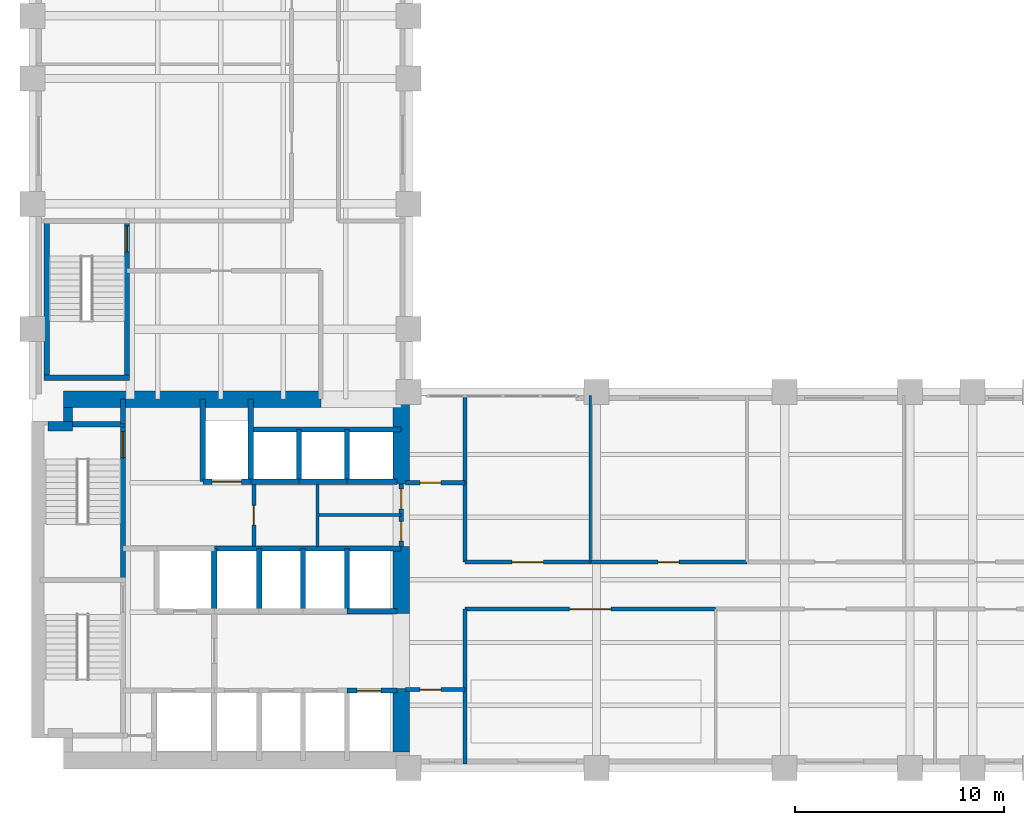
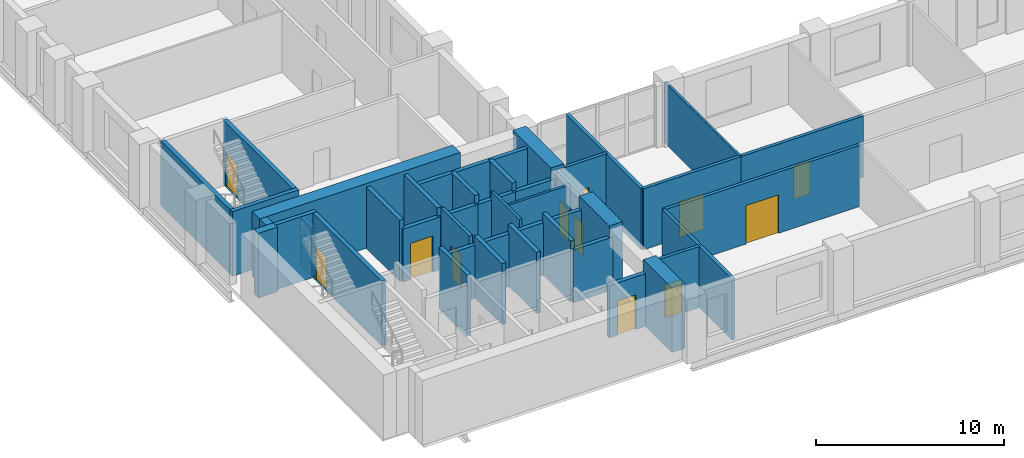
# One storey, part 5 of 9: 40 walls, 12 doors, 12 openings.
"""IFC4 building model written with IfcOpenShell, lengths in metres."""

from ifc_helpers import new_model, si_unit, direction, frame, frame_2d, origin, place, context, subcontext, project, spatial, rectangle, extrude, material, layer, layer_set, type_object, element, fill, save


model = new_model("IFC4")

# Units and contexts
model_context = context("Model", 3, precision=1e-05, world=origin(), true_north=direction((0.0, 1.0)))
body_context = subcontext(model_context, "Body", "Model", "MODEL_VIEW")
ifc_project = project(units=[si_unit("LENGTHUNIT", "METRE"), si_unit("AREAUNIT", "SQUARE_METRE"), si_unit("VOLUMEUNIT", "CUBIC_METRE"), si_unit("PLANEANGLEUNIT", "RADIAN"), si_unit("MASSUNIT", "GRAM", prefix="KILO")], contexts=[model_context])

# Site, building, storey
site_placement = place(None, origin())
site = spatial("IfcSite", under=ifc_project, at=site_placement, CompositionType="ELEMENT")
building_placement = place(site_placement, origin())
building = spatial("IfcBuilding", under=site, at=building_placement, Name="Mawjdan Bourse Tower", CompositionType="ELEMENT")
storey_placement = place(building_placement, frame((0.0, 0.0, 51.0)))
storey = spatial("IfcBuildingStorey", under=building, at=storey_placement, Name="L11", CompositionType="ELEMENT", Elevation=51.0)

# Wall, opening, door
ifc_material_1 = material(Name="Gypsum Fireboard Assembly")
ifc_layer_1 = layer(ifc_material_1, 0.199951171875)
ifc_layer_set_1 = layer_set([ifc_layer_1], Name="Gypsum Fireboard Assembly")
wall_type_1 = type_object("IfcWallType", Name="WL-CMP-200", PredefinedType="PARTITIONING", material=ifc_layer_set_1)
wall_1_placement = place(storey_placement, frame((16.60009765625, 13.60009765625, 0.0), z_axis=(0.0, 0.0, 1.0), x_axis=(0.0, 1.0, 0.0)))
wall_1 = element("IfcWall", 1, at=wall_1_placement, inside=storey, type_object=wall_type_1, Name="L11 Core Restroom West Wall", PredefinedType="PARTITIONING", context=body_context, shape_type="SweptSolid", body=[
    extrude(rectangle(XDim=3.0, YDim=0.199951171875, at=frame_2d((1.5, 0.0))), origin(), (0.0, 0.0, 1.0), 3.969970703125),
])
opening_1_placement = place(wall_1_placement, frame((1.02001953125, 0.0, 0.0)))
opening_1 = element("IfcOpeningElement", 2, at=opening_1_placement, cuts=wall_1, Name="Opening D-L11-14", PredefinedType="OPENING", context=body_context, shape_type="SweptSolid", body=[
    extrude(rectangle(XDim=0.949951171875, YDim=2.10009765625, at=frame_2d((0.47509765625, 1.050048828125))), frame((0.0, 0.10986328125, 0.0), z_axis=(0.0, -1.0, 0.0), x_axis=(1.0, 0.0, 0.0)), (0.0, 0.0, 1.0), 0.219970703125),
])
ifc_material_2 = material(Name="Moisture-Resistant Laminate Timber", Category="wood")
door_type_1 = type_object("IfcDoorType", Name="DR-WET-0950", OperationType="NOTDEFINED", PredefinedType="DOOR", material=ifc_material_2)
door_1_placement = place(opening_1_placement, origin())
door_1 = element("IfcDoor", 3, at=door_1_placement, inside=storey, type_object=door_type_1, Name="L11 Male Restroom Entry Door D-L11-14", OperationType="SINGLE_SWING_RIGHT", OverallHeight=2.10009765625, OverallWidth=0.949951171875, PredefinedType="DOOR", context=body_context, shape_type="SweptSolid", body=[
    extrude(rectangle(XDim=0.949951171875, YDim=2.10009765625, at=frame_2d((0.47509765625, 1.050048828125))), frame((0.0, 0.02490234375, 0.0), z_axis=(0.0, -1.0, 0.0), x_axis=(1.0, 0.0, 0.0)), (0.0, 0.0, 1.0), 0.050048828125),
])
fill(opening_1, door_1)

# Wall, openings, doors
wall_2_placement = place(storey_placement, frame((23.64990234375, 13.60009765625, 0.0), z_axis=(0.0, 0.0, 1.0), x_axis=(0.0, 1.0, 0.0)))
wall_2 = element("IfcWall", 4, at=wall_2_placement, inside=storey, type_object=wall_type_1, Name="L11 Core Restroom East Enclosing Wall", PredefinedType="PARTITIONING", context=body_context, shape_type="SweptSolid", body=[
    extrude(rectangle(XDim=3.0, YDim=0.199951171875, at=frame_2d((1.5, 0.0))), origin(), (0.0, 0.0, 1.0), 3.969970703125),
])
opening_2_placement = place(wall_2_placement, frame((0.25, 0.0, 0.0)))
opening_2 = element("IfcOpeningElement", 5, at=opening_2_placement, cuts=wall_2, Name="Opening D-L11-15", PredefinedType="OPENING", context=body_context, shape_type="SweptSolid", body=[
    extrude(rectangle(XDim=0.949951171875, YDim=2.10009765625, at=frame_2d((0.47509765625, 1.050048828125))), frame((0.0, 0.10986328125, 0.0), z_axis=(0.0, -1.0, 0.0), x_axis=(1.0, 0.0, 0.0)), (0.0, 0.0, 1.0), 0.219970703125),
])
opening_3_placement = place(wall_2_placement, frame((1.800048828125, 0.0, 0.0)))
opening_3 = element("IfcOpeningElement", 6, at=opening_3_placement, cuts=wall_2, Name="Opening D-L11-16", PredefinedType="OPENING", context=body_context, shape_type="SweptSolid", body=[
    extrude(rectangle(XDim=0.949951171875, YDim=2.10009765625, at=frame_2d((0.47509765625, 1.050048828125))), frame((0.0, 0.10986328125, 0.0), z_axis=(0.0, -1.0, 0.0), x_axis=(1.0, 0.0, 0.0)), (0.0, 0.0, 1.0), 0.219970703125),
])
door_2_placement = place(opening_2_placement, origin())
door_2 = element("IfcDoor", 7, at=door_2_placement, inside=storey, type_object=door_type_1, Name="L11 Accessible WC East Entry Door D-L11-15", OperationType="SINGLE_SWING_LEFT", OverallHeight=2.10009765625, OverallWidth=0.949951171875, PredefinedType="DOOR", context=body_context, shape_type="SweptSolid", body=[
    extrude(rectangle(XDim=0.949951171875, YDim=2.10009765625, at=frame_2d((0.47509765625, 1.050048828125))), frame((0.0, 0.02490234375, 0.0), z_axis=(0.0, -1.0, 0.0), x_axis=(1.0, 0.0, 0.0)), (0.0, 0.0, 1.0), 0.050048828125),
])
fill(opening_2, door_2)
door_3_placement = place(opening_3_placement, origin())
door_3 = element("IfcDoor", 8, at=door_3_placement, inside=storey, type_object=door_type_1, Name="L11 Female Restroom East Entry Door D-L11-16", OperationType="SINGLE_SWING_RIGHT", OverallHeight=2.10009765625, OverallWidth=0.949951171875, PredefinedType="DOOR", context=body_context, shape_type="SweptSolid", body=[
    extrude(rectangle(XDim=0.949951171875, YDim=2.10009765625, at=frame_2d((0.47509765625, 1.050048828125))), frame((0.0, 0.02490234375, 0.0), z_axis=(0.0, -1.0, 0.0), x_axis=(1.0, 0.0, 0.0)), (0.0, 0.0, 1.0), 0.050048828125),
])
fill(opening_3, door_3)

# Wall, opening, door
wall_3_placement = place(storey_placement, frame((23.85009765625, 6.75, 0.0), z_axis=(0.0, 0.0, 1.0), x_axis=(1.0, 0.0, 0.0)))
wall_3 = element("IfcWall", 9, at=wall_3_placement, inside=storey, type_object=wall_type_1, Name="L11 West Pocket North Wall", PredefinedType="PARTITIONING", context=body_context, shape_type="SweptSolid", body=[
    extrude(rectangle(XDim=2.849853515625, YDim=0.199951171875, at=frame_2d((1.4248046875, 0.0))), origin(), (0.0, 0.0, 1.0), 3.969970703125),
])
opening_4_placement = place(wall_3_placement, frame((0.699951171875, 0.0, 0.0)))
opening_4 = element("IfcOpeningElement", 10, at=opening_4_placement, cuts=wall_3, Name="Opening D-L11-18", PredefinedType="OPENING", context=body_context, shape_type="SweptSolid", body=[
    extrude(rectangle(XDim=1.0, YDim=2.14990234375, at=frame_2d((0.5, 1.074951171875))), frame((0.0, 0.10986328125, 0.0), z_axis=(0.0, -1.0, 0.0), x_axis=(1.0, 0.0, 0.0)), (0.0, 0.0, 1.0), 0.219970703125),
])
ifc_material_3 = material(Name="Hardwood Acoustic Leaf", Category="wood")
door_type_2 = type_object("IfcDoorType", Name="DR-OFC-1000", OperationType="NOTDEFINED", PredefinedType="DOOR", material=ifc_material_3)
door_4_placement = place(opening_4_placement, origin())
door_4 = element("IfcDoor", 11, at=door_4_placement, inside=storey, type_object=door_type_2, Name="L11 West Pocket Office Door D-L11-18", OperationType="SINGLE_SWING_RIGHT", OverallHeight=2.14990234375, OverallWidth=1.0, PredefinedType="DOOR", context=body_context, shape_type="SweptSolid", body=[
    extrude(rectangle(XDim=1.0, YDim=2.14990234375, at=frame_2d((0.5, 1.074951171875))), frame((0.0, 0.02490234375, 0.0), z_axis=(0.0, -1.0, 0.0), x_axis=(1.0, 0.0, 0.0)), (0.0, 0.0, 1.0), 0.050048828125),
])
fill(opening_4, door_4)

wall_4_placement = place(storey_placement, frame((23.85009765625, 16.64990234375, 0.0), z_axis=(0.0, 0.0, 1.0), x_axis=(1.0, 0.0, 0.0)))
wall_4 = element("IfcWall", 12, at=wall_4_placement, inside=storey, type_object=wall_type_1, Name="L11 West North Pocket Wall", PredefinedType="PARTITIONING", context=body_context, shape_type="SweptSolid", body=[
    extrude(rectangle(XDim=2.849853515625, YDim=0.199951171875, at=frame_2d((1.4248046875, 0.0))), origin(), (0.0, 0.0, 1.0), 3.969970703125),
])
opening_5_placement = place(wall_4_placement, frame((0.699951171875, 0.0, 0.0)))
opening_5 = element("IfcOpeningElement", 13, at=opening_5_placement, cuts=wall_4, Name="Opening D-L11-19", PredefinedType="OPENING", context=body_context, shape_type="SweptSolid", body=[
    extrude(rectangle(XDim=1.0, YDim=2.14990234375, at=frame_2d((0.5, 1.074951171875))), frame((0.0, 0.10986328125, 0.0), z_axis=(0.0, -1.0, 0.0), x_axis=(1.0, 0.0, 0.0)), (0.0, 0.0, 1.0), 0.219970703125),
])
door_5_placement = place(opening_5_placement, origin())
door_5 = element("IfcDoor", 14, at=door_5_placement, inside=storey, type_object=door_type_2, Name="L11 West North Pocket Door D-L11-19", OperationType="SINGLE_SWING_LEFT", OverallHeight=2.14990234375, OverallWidth=1.0, PredefinedType="DOOR", context=body_context, shape_type="SweptSolid", body=[
    extrude(rectangle(XDim=1.0, YDim=2.14990234375, at=frame_2d((0.5, 1.074951171875))), frame((0.0, 0.02490234375, 0.0), z_axis=(0.0, -1.0, 0.0), x_axis=(1.0, 0.0, 0.0)), (0.0, 0.0, 1.0), 0.050048828125),
])
fill(opening_5, door_5)

# Walls
wall_5_placement = place(storey_placement, frame((26.699951171875, 3.179931640625, 0.0), z_axis=(0.0, 0.0, 1.0), x_axis=(0.0, 1.0, 0.0)))
element("IfcWall", 15, at=wall_5_placement, inside=storey, type_object=wall_type_1, Name="L11 Vestibule South East Wall", PredefinedType="PARTITIONING", context=body_context, shape_type="SweptSolid", body=[
    extrude(rectangle(XDim=7.420166015625, YDim=0.199951171875, at=frame_2d((3.7099609375, 0.0))), origin(), (0.0, 0.0, 1.0), 3.969970703125),
])
wall_6_placement = place(storey_placement, frame((26.699951171875, 12.85009765625, 0.0), z_axis=(0.0, 0.0, 1.0), x_axis=(0.0, 1.0, 0.0)))
element("IfcWall", 16, at=wall_6_placement, inside=storey, type_object=wall_type_1, Name="L11 Vestibule North East Wall", PredefinedType="PARTITIONING", context=body_context, shape_type="SweptSolid", body=[
    extrude(rectangle(XDim=7.969970703125, YDim=0.199951171875, at=frame_2d((3.98486328125, 0.0))), origin(), (0.0, 0.0, 1.0), 3.969970703125),
])

# Wall, opening, door
wall_7_placement = place(storey_placement, frame((26.699951171875, 10.60009765625, 0.0), z_axis=(0.0, 0.0, 1.0), x_axis=(1.0, 0.0, 0.0)))
wall_7 = element("IfcWall", 17, at=wall_7_placement, inside=storey, type_object=wall_type_1, Name="L11 Trading Floor Corridor Wall", PredefinedType="PARTITIONING", context=body_context, shape_type="SweptSolid", body=[
    extrude(rectangle(XDim=12.0, YDim=0.199951171875, at=frame_2d((6.0, 0.0))), origin(), (0.0, 0.0, 1.0), 3.969970703125),
])
opening_6_placement = place(wall_7_placement, frame((5.0, 0.0, 0.0)))
opening_6 = element("IfcOpeningElement", 18, at=opening_6_placement, cuts=wall_7, Name="Opening D-L11-20", PredefinedType="OPENING", context=body_context, shape_type="SweptSolid", body=[
    extrude(rectangle(XDim=2.0, YDim=2.5, at=frame_2d((1.0, 1.25))), frame((0.0, 0.10986328125, 0.0), z_axis=(0.0, -1.0, 0.0), x_axis=(1.0, 0.0, 0.0)), (0.0, 0.0, 1.0), 0.219970703125),
])
ifc_material_4 = material(Name="Acoustic Veneered Timber", Category="wood")
door_type_3 = type_object("IfcDoorType", Name="DR-ASM-2000", OperationType="DOUBLE_DOOR_SINGLE_SWING", PredefinedType="DOOR", material=ifc_material_4)
door_6_placement = place(opening_6_placement, origin())
door_6 = element("IfcDoor", 19, at=door_6_placement, inside=storey, type_object=door_type_3, Name="L11 Trading Floor Door D-L11-20", OperationType="DOUBLE_DOOR_SINGLE_SWING", OverallHeight=2.5, OverallWidth=2.0, PredefinedType="DOOR", context=body_context, shape_type="SweptSolid", body=[
    extrude(rectangle(XDim=2.0, YDim=2.5, at=frame_2d((1.0, 1.25))), frame((0.0, 0.02490234375, 0.0), z_axis=(0.0, -1.0, 0.0), x_axis=(1.0, 0.0, 0.0)), (0.0, 0.0, 1.0), 0.050048828125),
])
fill(opening_6, door_6)

wall_8_placement = place(storey_placement, frame((26.699951171875, 12.85009765625, 0.0), z_axis=(0.0, 0.0, 1.0), x_axis=(1.0, 0.0, 0.0)))
wall_8 = element("IfcWall", 20, at=wall_8_placement, inside=storey, type_object=wall_type_1, Name="L11 Conference Room Corridor Wall", PredefinedType="PARTITIONING", context=body_context, shape_type="SweptSolid", body=[
    extrude(rectangle(XDim=6.0, YDim=0.199951171875, at=frame_2d((3.0, 0.0))), origin(), (0.0, 0.0, 1.0), 3.969970703125),
])
opening_7_placement = place(wall_8_placement, frame((2.25, 0.0, 0.0)))
opening_7 = element("IfcOpeningElement", 21, at=opening_7_placement, cuts=wall_8, Name="Opening D-L11-23", PredefinedType="OPENING", context=body_context, shape_type="SweptSolid", body=[
    extrude(rectangle(XDim=1.5, YDim=2.300048828125, at=frame_2d((0.75, 1.14990234375))), frame((0.0, 0.10986328125, 0.0), z_axis=(0.0, -1.0, 0.0), x_axis=(1.0, 0.0, 0.0)), (0.0, 0.0, 1.0), 0.219970703125),
])
ifc_material_5 = material(Name="Acoustic Glazed Timber", Category="wood")
door_type_4 = type_object("IfcDoorType", Name="DR-CNF-1500", OperationType="DOUBLE_DOOR_SINGLE_SWING", PredefinedType="DOOR", material=ifc_material_5)
door_7_placement = place(opening_7_placement, origin())
door_7 = element("IfcDoor", 22, at=door_7_placement, inside=storey, type_object=door_type_4, Name="L11 Conference Room Door D-L11-23", OperationType="DOUBLE_DOOR_SINGLE_SWING", OverallHeight=2.300048828125, OverallWidth=1.5, PredefinedType="DOOR", context=body_context, shape_type="SweptSolid", body=[
    extrude(rectangle(XDim=1.5, YDim=2.300048828125, at=frame_2d((0.75, 1.14990234375))), frame((0.0, 0.02490234375, 0.0), z_axis=(0.0, -1.0, 0.0), x_axis=(1.0, 0.0, 0.0)), (0.0, 0.0, 1.0), 0.050048828125),
])
fill(opening_7, door_7)

wall_9_placement = place(storey_placement, frame((32.699951171875, 12.85009765625, 0.0), z_axis=(0.0, 0.0, 1.0), x_axis=(1.0, 0.0, 0.0)))
wall_9 = element("IfcWall", 23, at=wall_9_placement, inside=storey, type_object=wall_type_1, Name="L11 Client Meeting Room Corridor Wall", PredefinedType="PARTITIONING", context=body_context, shape_type="SweptSolid", body=[
    extrude(rectangle(XDim=7.5, YDim=0.199951171875, at=frame_2d((3.75, 0.0))), origin(), (0.0, 0.0, 1.0), 3.969970703125),
])
opening_8_placement = place(wall_9_placement, frame((3.25, 0.0, 0.0)))
opening_8 = element("IfcOpeningElement", 24, at=opening_8_placement, cuts=wall_9, Name="Opening D-L11-24", PredefinedType="OPENING", context=body_context, shape_type="SweptSolid", body=[
    extrude(rectangle(XDim=1.0, YDim=2.14990234375, at=frame_2d((0.5, 1.074951171875))), frame((0.0, 0.10986328125, 0.0), z_axis=(0.0, -1.0, 0.0), x_axis=(1.0, 0.0, 0.0)), (0.0, 0.0, 1.0), 0.219970703125),
])
door_8_placement = place(opening_8_placement, origin())
door_8 = element("IfcDoor", 25, at=door_8_placement, inside=storey, type_object=door_type_2, Name="L11 Client Meeting Room Door D-L11-24", OperationType="SINGLE_SWING_RIGHT", OverallHeight=2.14990234375, OverallWidth=1.0, PredefinedType="DOOR", context=body_context, shape_type="SweptSolid", body=[
    extrude(rectangle(XDim=1.0, YDim=2.14990234375, at=frame_2d((0.5, 1.074951171875))), frame((0.0, 0.02490234375, 0.0), z_axis=(0.0, -1.0, 0.0), x_axis=(1.0, 0.0, 0.0)), (0.0, 0.0, 1.0), 0.050048828125),
])
fill(opening_8, door_8)

# Walls
ifc_material_6 = material(Name="Concrete C60/75", Category="concrete")
ifc_layer_2 = layer(ifc_material_6, 0.449951171875)
ifc_layer_set_2 = layer_set([ifc_layer_2], Name="Concrete C60/75")
wall_type_2 = type_object("IfcWallType", Name="WL-CORE-450", PredefinedType="SHEAR", material=ifc_layer_set_2)
wall_10_placement = place(storey_placement, frame((6.75, 19.35009765625, 0.0), z_axis=(0.0, 0.0, 1.0), x_axis=(1.0, 0.0, 0.0)))
element("IfcWall", 26, at=wall_10_placement, inside=storey, type_object=wall_type_2, Name="L11 Rear Core Shear Wall NW-X", PredefinedType="SHEAR", context=body_context, shape_type="SweptSolid", body=[
    extrude(rectangle(XDim=1.175048828125, YDim=0.449951171875, at=frame_2d((0.58740234375, 0.0))), origin(), (0.0, 0.0, 1.0), 4.199951171875),
])
wall_11_placement = place(storey_placement, frame((7.699951171875, 19.574951171875, 0.0), z_axis=(0.0, 0.0, 1.0), x_axis=(0.0, 1.0, 0.0)))
element("IfcWall", 27, at=wall_11_placement, inside=storey, type_object=wall_type_2, Name="L11 Rear Core Shear Wall NW-Y", PredefinedType="SHEAR", context=body_context, shape_type="SweptSolid", body=[
    extrude(rectangle(XDim=0.675048828125, YDim=0.449951171875, at=frame_2d((0.33740234375, 0.0))), origin(), (0.0, 0.0, 1.0), 4.199951171875),
])
ifc_material_7 = material(Name="Concrete C80/95", Category="concrete")
ifc_layer_3 = layer(ifc_material_7, 0.800048828125)
ifc_layer_set_3 = layer_set([ifc_layer_3], Name="Concrete C80/95")
wall_type_3 = type_object("IfcWallType", Name="WL-CORE-800", PredefinedType="SHEAR", material=ifc_layer_set_3)
wall_12_placement = place(storey_placement, frame((7.47509765625, 20.64990234375, 0.0), z_axis=(0.0, 0.0, 1.0), x_axis=(1.0, 0.0, 0.0)))
element("IfcWall", 28, at=wall_12_placement, inside=storey, type_object=wall_type_3, Name="L11 Rear Core Shear Wall N", PredefinedType="SHEAR", context=body_context, shape_type="SweptSolid", body=[
    extrude(rectangle(XDim=12.324951171875, YDim=0.800048828125, at=frame_2d((6.16259765625, 0.0))), origin(), (0.0, 0.0, 1.0), 4.199951171875),
])
wall_13_placement = place(storey_placement, frame((23.64990234375, 3.75, 0.0), z_axis=(0.0, 0.0, 1.0), x_axis=(0.0, 1.0, 0.0)))
element("IfcWall", 29, at=wall_13_placement, inside=storey, type_object=wall_type_3, Name="L11 Rear Core Shear Wall E1", PredefinedType="SHEAR", context=body_context, shape_type="SweptSolid", body=[
    extrude(rectangle(XDim=3.050048828125, YDim=0.800048828125, at=frame_2d((1.52490234375, 0.0))), origin(), (0.0, 0.0, 1.0), 4.199951171875),
])
wall_14_placement = place(storey_placement, frame((23.64990234375, 10.39990234375, 0.0), z_axis=(0.0, 0.0, 1.0), x_axis=(0.0, 1.0, 0.0)))
element("IfcWall", 30, at=wall_14_placement, inside=storey, type_object=wall_type_3, Name="L11 Rear Core Shear Wall E2", PredefinedType="SHEAR", context=body_context, shape_type="SweptSolid", body=[
    extrude(rectangle(XDim=3.2001953125, YDim=0.800048828125, at=frame_2d((1.60009765625, 0.0))), origin(), (0.0, 0.0, 1.0), 4.199951171875),
])
wall_15_placement = place(storey_placement, frame((23.64990234375, 16.60009765625, 0.0), z_axis=(0.0, 0.0, 1.0), x_axis=(0.0, 1.0, 0.0)))
element("IfcWall", 31, at=wall_15_placement, inside=storey, type_object=wall_type_3, Name="L11 Rear Core Shear Wall E3", PredefinedType="SHEAR", context=body_context, shape_type="SweptSolid", body=[
    extrude(rectangle(XDim=4.0498046875, YDim=0.800048828125, at=frame_2d((2.02490234375, 0.0))), origin(), (0.0, 0.0, 1.0), 4.199951171875),
])
ifc_material_8 = material(Name="Gypsum Partition")
ifc_layer_4 = layer(ifc_material_8, 0.125)
ifc_layer_set_4 = layer_set([ifc_layer_4], Name="Gypsum Partition")
wall_type_4 = type_object("IfcWallType", Name="WL-PRT-125", PredefinedType="PARTITIONING", material=ifc_layer_set_4)
wall_16_placement = place(storey_placement, frame((32.699951171875, 12.85009765625, 0.0), z_axis=(0.0, 0.0, 1.0), x_axis=(0.0, 1.0, 0.0)))
element("IfcWall", 32, at=wall_16_placement, inside=storey, type_object=wall_type_4, Name="L11 Client Meeting Room Partition", PredefinedType="PARTITIONING", context=body_context, shape_type="SweptSolid", body=[
    extrude(rectangle(XDim=7.969970703125, YDim=0.125, at=frame_2d((3.98486328125, 0.0))), origin(), (0.0, 0.0, 1.0), 3.969970703125),
])
ifc_material_9 = material(Name="Gypsum Acoustic Partition")
ifc_layer_5 = layer(ifc_material_9, 0.14990234375)
ifc_layer_set_5 = layer_set([ifc_layer_5], Name="Gypsum Acoustic Partition")
wall_type_5 = type_object("IfcWallType", Name="WL-PRT-150", PredefinedType="PARTITIONING", material=ifc_layer_set_5)
wall_17_placement = place(storey_placement, frame((19.64990234375, 13.60009765625, 0.0), z_axis=(0.0, 0.0, 1.0), x_axis=(0.0, 1.0, 0.0)))
element("IfcWall", 33, at=wall_17_placement, inside=storey, type_object=wall_type_5, Name="L11 Core Restroom Vertical Split", PredefinedType="PARTITIONING", context=body_context, shape_type="SweptSolid", body=[
    extrude(rectangle(XDim=3.0, YDim=0.14990234375, at=frame_2d((1.5, 0.0))), origin(), (0.0, 0.0, 1.0), 3.969970703125),
])
wall_18_placement = place(storey_placement, frame((19.64990234375, 15.10009765625, 0.0), z_axis=(0.0, 0.0, 1.0), x_axis=(1.0, 0.0, 0.0)))
element("IfcWall", 34, at=wall_18_placement, inside=storey, type_object=wall_type_5, Name="L11 Core Restroom East Horizontal Split", PredefinedType="PARTITIONING", context=body_context, shape_type="SweptSolid", body=[
    extrude(rectangle(XDim=4.0, YDim=0.14990234375, at=frame_2d((2.0, 0.0))), origin(), (0.0, 0.0, 1.0), 3.969970703125),
])
ifc_material_10 = material(Name="Concrete C50/60", Category="concrete")
ifc_layer_6 = layer(ifc_material_10, 0.25)
ifc_layer_set_6 = layer_set([ifc_layer_6], Name="Concrete C50/60")
wall_type_6 = type_object("IfcWallType", Name="WL-SHFT-250", PredefinedType="PARTITIONING", material=ifc_layer_set_6)
wall_19_placement = place(storey_placement, frame((10.330078125, 19.449951171875, 0.0), z_axis=(0.0, 0.0, 1.0), x_axis=(0.0, 1.0, 0.0)))
element("IfcWall", 35, at=wall_19_placement, inside=storey, type_object=wall_type_6, Name="L11 NW Riser East Wall", PredefinedType="PARTITIONING", context=body_context, shape_type="SweptSolid", body=[
    extrude(rectangle(XDim=1.199951171875, YDim=0.25, at=frame_2d((0.60009765625, 0.0))), origin(), (0.0, 0.0, 1.0), 3.114013671875),
])
wall_20_placement = place(storey_placement, frame((14.699951171875, 10.5, 0.0), z_axis=(0.0, 0.0, 1.0), x_axis=(0.0, 1.0, 0.0)))
element("IfcWall", 36, at=wall_20_placement, inside=storey, type_object=wall_type_6, Name="L11 FFL-02 East Shaft Wall", PredefinedType="PARTITIONING", context=body_context, shape_type="SweptSolid", body=[
    extrude(rectangle(XDim=3.0, YDim=0.25, at=frame_2d((1.5, 0.0))), origin(), (0.0, 0.0, 1.0), 3.969970703125),
])

# Wall, opening, door
wall_21_placement = place(storey_placement, frame((14.14990234375, 16.699951171875, 0.0), z_axis=(0.0, 0.0, 1.0), x_axis=(1.0, 0.0, 0.0)))
wall_21 = element("IfcWall", 37, at=wall_21_placement, inside=storey, type_object=wall_type_6, Name="L11 SVL-01 Front Shaft Wall", PredefinedType="PARTITIONING", context=body_context, shape_type="SweptSolid", body=[
    extrude(rectangle(XDim=2.300048828125, YDim=0.25, at=frame_2d((1.14990234375, 0.0))), origin(), (0.0, 0.0, 1.0), 3.426025390625),
])
opening_9_placement = place(wall_21_placement, frame((0.449951171875, 0.0, 0.0)))
opening_9 = element("IfcOpeningElement", 38, at=opening_9_placement, cuts=wall_21, Name="Opening LD-L11-09", PredefinedType="OPENING", context=body_context, shape_type="SweptSolid", body=[
    extrude(rectangle(XDim=1.39990234375, YDim=2.35009765625, at=frame_2d((0.699951171875, 1.175048828125))), frame((0.0, 0.135009765625, 0.0), z_axis=(0.0, -1.0, 0.0), x_axis=(1.0, 0.0, 0.0)), (0.0, 0.0, 1.0), 0.27001953125),
])
ifc_material_11 = material(Name="Heavy-Duty Stainless Steel", Category="steel")
door_type_5 = type_object("IfcDoorType", Name="LD-SRV-1400", OperationType="DOUBLE_DOOR_SLIDING", PredefinedType="DOOR", material=ifc_material_11)
door_9_placement = place(opening_9_placement, origin())
door_9 = element("IfcDoor", 39, at=door_9_placement, inside=storey, type_object=door_type_5, Name="L11 Service Lift SVL-01 Landing Door LD-L11-09", OperationType="DOUBLE_DOOR_SLIDING", OverallHeight=2.35009765625, OverallWidth=1.39990234375, PredefinedType="DOOR", context=body_context, shape_type="SweptSolid", body=[
    extrude(rectangle(XDim=1.39990234375, YDim=2.35009765625, at=frame_2d((0.699951171875, 1.175048828125))), frame((0.0, 0.02490234375, 0.0), z_axis=(0.0, -1.0, 0.0), x_axis=(1.0, 0.0, 0.0)), (0.0, 0.0, 1.0), 0.050048828125),
])
fill(opening_9, door_9)

# Walls
for number, where, z_axis, x_axis, name in (
    (40, (14.14990234375, 16.699951171875, 0.0), (0.0, 0.0, 1.0), (0.0, 1.0, 0.0), "L11 SVL-01 West Shaft Wall"),
    (41, (16.449951171875, 16.699951171875, 0.0), (0.0, 0.0, 1.0), (0.0, 1.0, 0.0), "L11 SVL-01 East Shaft Wall"),
):
    element("IfcWall", number, at=place(storey_placement, frame(where, z_axis=z_axis, x_axis=x_axis)), inside=storey, type_object=wall_type_6, Name=name, PredefinedType="PARTITIONING", context=body_context, shape_type="SweptSolid", body=[
        extrude(rectangle(XDim=3.949951171875, YDim=0.25, at=frame_2d((1.97509765625, 0.0))), origin(), (0.0, 0.0, 1.0), 3.969970703125),
    ])
wall_22_placement = place(storey_placement, frame((16.449951171875, 16.699951171875, 0.0), z_axis=(0.0, 0.0, 1.0), x_axis=(1.0, 0.0, 0.0)))
element("IfcWall", 42, at=wall_22_placement, inside=storey, type_object=wall_type_6, Name="L11 PH-01 Front Wall", PredefinedType="PARTITIONING", context=body_context, shape_type="SweptSolid", body=[
    extrude(rectangle(XDim=2.300048828125, YDim=0.25, at=frame_2d((1.14990234375, 0.0))), origin(), (0.0, 0.0, 1.0), 3.426025390625),
])
wall_23_placement = place(storey_placement, frame((18.75, 16.699951171875, 0.0), z_axis=(0.0, 0.0, 1.0), x_axis=(0.0, 1.0, 0.0)))
element("IfcWall", 43, at=wall_23_placement, inside=storey, type_object=wall_type_6, Name="L11 PH-01 Divider Wall", PredefinedType="PARTITIONING", context=body_context, shape_type="SweptSolid", body=[
    extrude(rectangle(XDim=2.5, YDim=0.25, at=frame_2d((1.25, 0.0))), origin(), (0.0, 0.0, 1.0), 3.969970703125),
])
wall_24_placement = place(storey_placement, frame((18.75, 16.699951171875, 0.0), z_axis=(0.0, 0.0, 1.0), x_axis=(1.0, 0.0, 0.0)))
element("IfcWall", 44, at=wall_24_placement, inside=storey, type_object=wall_type_6, Name="L11 PH-02 Front Wall", PredefinedType="PARTITIONING", context=body_context, shape_type="SweptSolid", body=[
    extrude(rectangle(XDim=2.300048828125, YDim=0.25, at=frame_2d((1.14990234375, 0.0))), origin(), (0.0, 0.0, 1.0), 3.426025390625),
])
wall_25_placement = place(storey_placement, frame((21.050048828125, 16.699951171875, 0.0), z_axis=(0.0, 0.0, 1.0), x_axis=(0.0, 1.0, 0.0)))
element("IfcWall", 45, at=wall_25_placement, inside=storey, type_object=wall_type_6, Name="L11 PH-02 Divider Wall", PredefinedType="PARTITIONING", context=body_context, shape_type="SweptSolid", body=[
    extrude(rectangle(XDim=2.5, YDim=0.25, at=frame_2d((1.25, 0.0))), origin(), (0.0, 0.0, 1.0), 3.969970703125),
])
wall_26_placement = place(storey_placement, frame((21.050048828125, 16.699951171875, 0.0), z_axis=(0.0, 0.0, 1.0), x_axis=(1.0, 0.0, 0.0)))
element("IfcWall", 46, at=wall_26_placement, inside=storey, type_object=wall_type_6, Name="L11 PH-03 Front Wall", PredefinedType="PARTITIONING", context=body_context, shape_type="SweptSolid", body=[
    extrude(rectangle(XDim=2.39990234375, YDim=0.25, at=frame_2d((1.199951171875, 0.0))), origin(), (0.0, 0.0, 1.0), 3.426025390625),
])
wall_27_placement = place(storey_placement, frame((16.449951171875, 19.199951171875, 0.0), z_axis=(0.0, 0.0, 1.0), x_axis=(1.0, 0.0, 0.0)))
element("IfcWall", 47, at=wall_27_placement, inside=storey, type_object=wall_type_6, Name="L11 PH Bank North Shaft Back Wall", PredefinedType="PARTITIONING", context=body_context, shape_type="SweptSolid", body=[
    extrude(rectangle(XDim=7.199951171875, YDim=0.25, at=frame_2d((3.60009765625, 0.0))), origin(), (0.0, 0.0, 1.0), 3.969970703125),
])

# Wall, opening, door
wall_28_placement = place(storey_placement, frame((21.050048828125, 6.699951171875, 0.0), z_axis=(0.0, 0.0, 1.0), x_axis=(1.0, 0.0, 0.0)))
wall_28 = element("IfcWall", 48, at=wall_28_placement, inside=storey, type_object=wall_type_6, Name="L11 PL-03 Front Wall", PredefinedType="PARTITIONING", context=body_context, shape_type="SweptSolid", body=[
    extrude(rectangle(XDim=2.39990234375, YDim=0.25, at=frame_2d((1.199951171875, 0.0))), origin(), (0.0, 0.0, 1.0), 3.426025390625),
])
opening_10_placement = place(wall_28_placement, frame((0.47998046875, 0.0, 0.0)))
opening_10 = element("IfcOpeningElement", 49, at=opening_10_placement, cuts=wall_28, Name="Opening LD-L11-13", PredefinedType="OPENING", context=body_context, shape_type="SweptSolid", body=[
    extrude(rectangle(XDim=1.14990234375, YDim=2.25, at=frame_2d((0.574951171875, 1.125))), frame((0.0, 0.135009765625, 0.0), z_axis=(0.0, -1.0, 0.0), x_axis=(1.0, 0.0, 0.0)), (0.0, 0.0, 1.0), 0.27001953125),
])
ifc_material_12 = material(Name="Brushed Stainless Steel", Category="steel")
door_type_6 = type_object("IfcDoorType", Name="LD-PAS-1150", OperationType="DOUBLE_DOOR_SLIDING", PredefinedType="DOOR", material=ifc_material_12)
door_10_placement = place(opening_10_placement, origin())
door_10 = element("IfcDoor", 50, at=door_10_placement, inside=storey, type_object=door_type_6, Name="L11 Lift PL-03 Landing Door LD-L11-13", OperationType="DOUBLE_DOOR_SLIDING", OverallHeight=2.25, OverallWidth=1.14990234375, PredefinedType="DOOR", context=body_context, shape_type="SweptSolid", body=[
    extrude(rectangle(XDim=1.14990234375, YDim=2.25, at=frame_2d((0.574951171875, 1.125))), frame((0.0, 0.02490234375, 0.0), z_axis=(0.0, -1.0, 0.0), x_axis=(1.0, 0.0, 0.0)), (0.0, 0.0, 1.0), 0.050048828125),
])
fill(opening_10, door_10)

# Walls
for number, where, z_axis, x_axis, name in (
    (51, (16.85009765625, 10.5, 0.0), (0.0, 0.0, 1.0), (0.0, 1.0, 0.0), "L11 PM-01 Divider Wall"),
    (52, (18.949951171875, 10.5, 0.0), (0.0, 0.0, 1.0), (0.0, 1.0, 0.0), "L11 PM-02 Divider Wall"),
    (53, (21.050048828125, 10.5, 0.0), (0.0, 0.0, 1.0), (0.0, 1.0, 0.0), "L11 PM-03 Divider Wall"),
):
    element("IfcWall", number, at=place(storey_placement, frame(where, z_axis=z_axis, x_axis=x_axis)), inside=storey, type_object=wall_type_6, Name=name, PredefinedType="PARTITIONING", context=body_context, shape_type="SweptSolid", body=[
        extrude(rectangle(XDim=3.0, YDim=0.25, at=frame_2d((1.5, 0.0))), origin(), (0.0, 0.0, 1.0), 3.969970703125),
    ])
wall_29_placement = place(storey_placement, frame((21.050048828125, 10.5, 0.0), z_axis=(0.0, 0.0, 1.0), x_axis=(1.0, 0.0, 0.0)))
element("IfcWall", 54, at=wall_29_placement, inside=storey, type_object=wall_type_6, Name="L11 PM-04 Front Wall", PredefinedType="PARTITIONING", context=body_context, shape_type="SweptSolid", body=[
    extrude(rectangle(XDim=2.39990234375, YDim=0.25, at=frame_2d((1.199951171875, 0.0))), origin(), (0.0, 0.0, 1.0), 3.426025390625),
])
wall_30_placement = place(storey_placement, frame((14.699951171875, 13.5, 0.0), z_axis=(0.0, 0.0, 1.0), x_axis=(1.0, 0.0, 0.0)))
element("IfcWall", 55, at=wall_30_placement, inside=storey, type_object=wall_type_6, Name="L11 PM Bank North Shaft Back Wall", PredefinedType="PARTITIONING", context=body_context, shape_type="SweptSolid", body=[
    extrude(rectangle(XDim=8.949951171875, YDim=0.25, at=frame_2d((4.47509765625, 0.0))), origin(), (0.0, 0.0, 1.0), 3.426025390625),
])
ifc_layer_7 = layer(ifc_material_10, 0.25)
ifc_layer_set_7 = layer_set([ifc_layer_7], Name="Concrete C50/60")
wall_type_7 = type_object("IfcWallType", Name="WL-STRW-250", PredefinedType="SHEAR", material=ifc_layer_set_7)
wall_31_placement = place(storey_placement, frame((7.699951171875, 19.449951171875, 0.0), z_axis=(0.0, 0.0, 1.0), x_axis=(1.0, 0.0, 0.0)))
element("IfcWall", 56, at=wall_31_placement, inside=storey, type_object=wall_type_7, Name="L11 Stairwell ST2 North Shaft Wall", PredefinedType="SHEAR", context=body_context, shape_type="SweptSolid", body=[
    extrude(rectangle(XDim=2.755126953125, YDim=0.25, at=frame_2d((1.37744140625, 0.0))), origin(), (0.0, 0.0, 1.0), 4.199951171875),
])

# Wall, opening, door
wall_32_placement = place(storey_placement, frame((10.330078125, 12.0, 0.0), z_axis=(0.0, 0.0, 1.0), x_axis=(0.0, 1.0, 0.0)))
wall_32 = element("IfcWall", 57, at=wall_32_placement, inside=storey, type_object=wall_type_7, Name="L11 Stairwell ST2 East Enclosure Wall", PredefinedType="SHEAR", context=body_context, shape_type="SweptSolid", body=[
    extrude(rectangle(XDim=7.449951171875, YDim=0.25, at=frame_2d((3.72509765625, 0.0))), origin(), (0.0, 0.0, 1.0), 4.199951171875),
])
opening_11_placement = place(wall_32_placement, frame((5.85009765625, 0.0, 0.0)))
opening_11 = element("IfcOpeningElement", 58, at=opening_11_placement, cuts=wall_32, Name="Opening SD-L11-02", PredefinedType="OPENING", context=body_context, shape_type="SweptSolid", body=[
    extrude(rectangle(XDim=1.25, YDim=2.199951171875, at=frame_2d((0.625, 1.10009765625))), frame((0.0, 0.135009765625, 0.0), z_axis=(0.0, -1.0, 0.0), x_axis=(1.0, 0.0, 0.0)), (0.0, 0.0, 1.0), 0.27001953125),
])
ifc_material_13 = material(Name="Fire-Rated Steel Leaf", Category="steel")
door_type_7 = type_object("IfcDoorType", Name="FD-ST-1250", OperationType="NOTDEFINED", PredefinedType="DOOR", material=ifc_material_13)
door_11_placement = place(opening_11_placement, origin())
door_11 = element("IfcDoor", 59, at=door_11_placement, inside=storey, type_object=door_type_7, Name="L11 Exit Stair ST2 Fire Door SD-L11-02", OperationType="SINGLE_SWING_LEFT", OverallHeight=2.199951171875, OverallWidth=1.25, PredefinedType="DOOR", context=body_context, shape_type="SweptSolid", body=[
    extrude(rectangle(XDim=1.25, YDim=2.199951171875, at=frame_2d((0.625, 1.10009765625))), frame((0.0, 0.02490234375, 0.0), z_axis=(0.0, -1.0, 0.0), x_axis=(1.0, 0.0, 0.0)), (0.0, 0.0, 1.0), 0.050048828125),
])
fill(opening_11, door_11)

# Walls
wall_33_placement = place(storey_placement, frame((6.554931640625, 21.679931640625, 0.0), z_axis=(0.0, 0.0, 1.0), x_axis=(1.0, 0.0, 0.0)))
element("IfcWall", 60, at=wall_33_placement, inside=storey, type_object=wall_type_7, Name="L11 ST3 South Shaft Wall", PredefinedType="SHEAR", context=body_context, shape_type="SweptSolid", body=[
    extrude(rectangle(XDim=4.090087890625, YDim=0.25, at=frame_2d((2.044921875, 0.0))), origin(), (0.0, 0.0, 1.0), 4.199951171875),
])
wall_34_placement = place(storey_placement, frame((6.679931640625, 21.679931640625, 0.0), z_axis=(0.0, 0.0, 1.0), x_axis=(0.0, 1.0, 0.0)))
element("IfcWall", 61, at=wall_34_placement, inside=storey, type_object=wall_type_7, Name="L11 ST3 West Shaft Wall", PredefinedType="SHEAR", context=body_context, shape_type="SweptSolid", body=[
    extrude(rectangle(XDim=7.5, YDim=0.25, at=frame_2d((3.75, 0.0))), origin(), (0.0, 0.0, 1.0), 4.199951171875),
])

# Wall, opening, door
wall_35_placement = place(storey_placement, frame((10.52001953125, 21.679931640625, 0.0), z_axis=(0.0, 0.0, 1.0), x_axis=(0.0, 1.0, 0.0)))
wall_35 = element("IfcWall", 62, at=wall_35_placement, inside=storey, type_object=wall_type_7, Name="L11 ST3 East Shaft Wall", PredefinedType="SHEAR", context=body_context, shape_type="SweptSolid", body=[
    extrude(rectangle(XDim=7.5, YDim=0.25, at=frame_2d((3.75, 0.0))), origin(), (0.0, 0.0, 1.0), 4.199951171875),
])
opening_12_placement = place(wall_35_placement, frame((6.02001953125, 0.0, 0.0)))
opening_12 = element("IfcOpeningElement", 63, at=opening_12_placement, cuts=wall_35, Name="Opening SD-L11-17", PredefinedType="OPENING", context=body_context, shape_type="SweptSolid", body=[
    extrude(rectangle(XDim=1.25, YDim=2.199951171875, at=frame_2d((0.625, 1.10009765625))), frame((0.0, 0.135009765625, 0.0), z_axis=(0.0, -1.0, 0.0), x_axis=(1.0, 0.0, 0.0)), (0.0, 0.0, 1.0), 0.27001953125),
])
door_12_placement = place(opening_12_placement, origin())
door_12 = element("IfcDoor", 64, at=door_12_placement, inside=storey, type_object=door_type_7, Name="L11 Stair ST3 Fire Door SD-L11-17", OperationType="SINGLE_SWING_LEFT", OverallHeight=2.199951171875, OverallWidth=1.25, PredefinedType="DOOR", context=body_context, shape_type="SweptSolid", body=[
    extrude(rectangle(XDim=1.25, YDim=2.199951171875, at=frame_2d((0.625, 1.10009765625))), frame((0.0, 0.02490234375, 0.0), z_axis=(0.0, -1.0, 0.0), x_axis=(1.0, 0.0, 0.0)), (0.0, 0.0, 1.0), 0.050048828125),
])
fill(opening_12, door_12)

save(model, "model.ifc")
